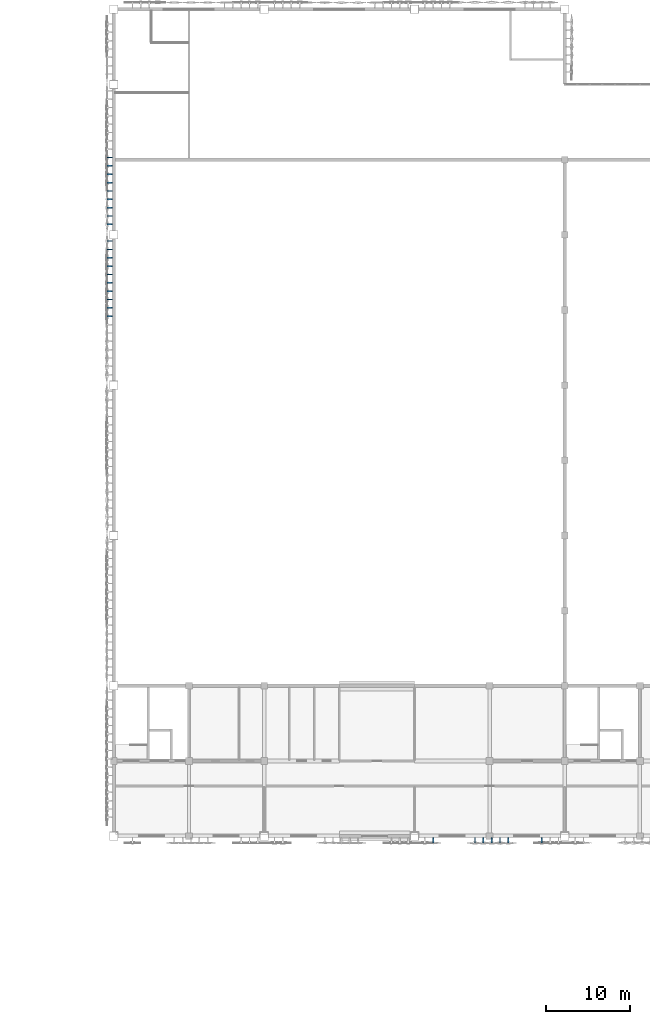
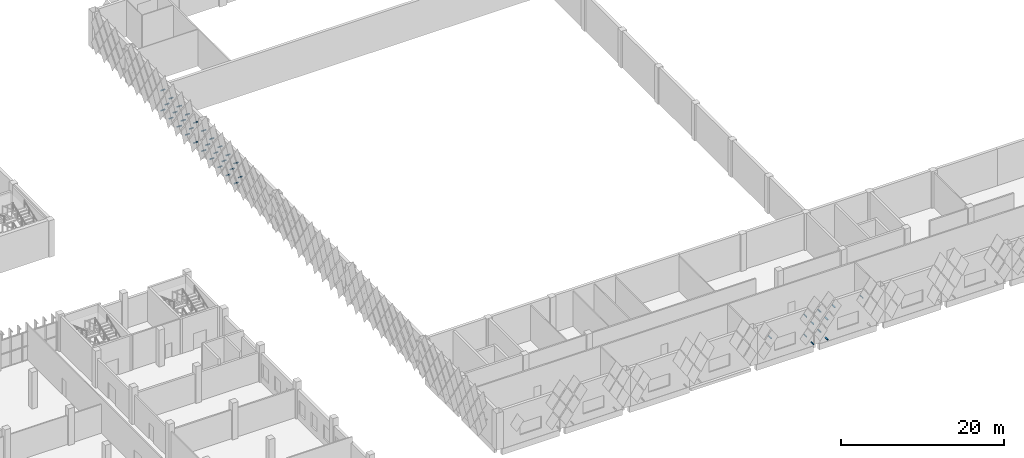
# One storey, part 140 of 185: 40 discrete accessories.
"""IFC4 building model written with IfcOpenShell, lengths in metres."""

from ifc_helpers import new_model, si_unit, direction, frame, origin, place, context, subcontext, project, spatial, polyline, outline, extrude, material, type_object, element, save


model = new_model("IFC4")

# Units and contexts
model_context = context("Model", 3, precision=1e-05, world=origin(), true_north=direction((0.0, 1.0)))
body_context = subcontext(model_context, "Body", "Model", "MODEL_VIEW")
ifc_project = project(units=[si_unit("LENGTHUNIT", "METRE"), si_unit("AREAUNIT", "SQUARE_METRE"), si_unit("VOLUMEUNIT", "CUBIC_METRE"), si_unit("PLANEANGLEUNIT", "RADIAN"), si_unit("MASSUNIT", "GRAM", prefix="KILO")], contexts=[model_context])

# Site, building, storey
site_placement = place(None, origin())
site = spatial("IfcSite", under=ifc_project, at=site_placement, CompositionType="ELEMENT")
building_placement = place(site_placement, origin())
building = spatial("IfcBuilding", under=site, at=building_placement, Name="Opaline Strait Convention Centre", CompositionType="ELEMENT")
storey_placement = place(building_placement, frame((0.0, 0.0, 6.0)))
storey = spatial("IfcBuildingStorey", under=building, at=storey_placement, Name="L01", CompositionType="ELEMENT", Elevation=6.0)

# Discrete accessories
ifc_material = material(Name="Steel Q355B", Category="steel")
discrete_accessory_type = type_object("IfcDiscreteAccessoryType", Name="Tile bracket 100x100 steel", PredefinedType="BRACKET", material=ifc_material)
discrete_accessory_1_placement = place(storey_placement, frame((143.199951171875, 53.800048828125, 0.39208984375), z_axis=(1.0, 0.0, 0.0), x_axis=(0.0, 1.0, 0.0)))
element("IfcDiscreteAccessory", 1, at=discrete_accessory_1_placement, inside=storey, type_object=discrete_accessory_type, Name="Tile bracket XT12 S", PredefinedType="BRACKET", context=body_context, shape_type="SweptSolid", body=[
    extrude(outline(polyline([(0.0, -0.050048828125), (0.0, 0.050048828125), (-0.605224609375, 0.050048828125), (-0.5947265625, -0.050048828125), (0.0, -0.050048828125)])), origin(), (0.0, 0.0, 1.0), 0.10009765625),
])
discrete_accessory_2_placement = place(storey_placement, frame((145.199951171875, 53.800048828125, 0.39208984375), z_axis=(1.0, 0.0, 0.0), x_axis=(0.0, 1.0, 0.0)))
element("IfcDiscreteAccessory", 2, at=discrete_accessory_2_placement, inside=storey, type_object=discrete_accessory_type, Name="Tile bracket XT09 S", PredefinedType="BRACKET", context=body_context, shape_type="SweptSolid", body=[
    extrude(outline(polyline([(0.0, -0.050048828125), (0.0, 0.050048828125), (-0.60400390625, 0.050048828125), (-0.595947265625, -0.050048828125), (0.0, -0.050048828125)])), origin(), (0.0, 0.0, 1.0), 0.10009765625),
])
discrete_accessory_3_placement = place(storey_placement, frame((142.199951171875, 53.800048828125, 1.89208984375), z_axis=(1.0, 0.0, 0.0), x_axis=(0.0, 1.0, 0.0)))
element("IfcDiscreteAccessory", 3, at=discrete_accessory_3_placement, inside=storey, type_object=discrete_accessory_type, Name="Tile bracket XT14 S", PredefinedType="BRACKET", context=body_context, shape_type="SweptSolid", body=[
    extrude(outline(polyline([(0.0, -0.050048828125), (0.0, 0.050048828125), (-0.606201171875, 0.050048828125), (-0.59375, -0.050048828125), (0.0, -0.050048828125)])), origin(), (0.0, 0.0, 1.0), 0.10009765625),
])
discrete_accessory_4_placement = place(storey_placement, frame((144.199951171875, 53.800048828125, 1.89208984375), z_axis=(1.0, 0.0, 0.0), x_axis=(0.0, 1.0, 0.0)))
element("IfcDiscreteAccessory", 4, at=discrete_accessory_4_placement, inside=storey, type_object=discrete_accessory_type, Name="Tile bracket XT12 S", PredefinedType="BRACKET", context=body_context, shape_type="SweptSolid", body=[
    extrude(outline(polyline([(0.0, -0.050048828125), (0.0, 0.050048828125), (-0.605224609375, 0.050048828125), (-0.5947265625, -0.050048828125), (0.0, -0.050048828125)])), origin(), (0.0, 0.0, 1.0), 0.10009765625),
])
discrete_accessory_5_placement = place(storey_placement, frame((137.199951171875, 53.800048828125, 3.39208984375), z_axis=(1.0, 0.0, 0.0), x_axis=(0.0, 1.0, 0.0)))
element("IfcDiscreteAccessory", 5, at=discrete_accessory_5_placement, inside=storey, type_object=discrete_accessory_type, Name="Tile bracket XT09 S", PredefinedType="BRACKET", context=body_context, shape_type="SweptSolid", body=[
    extrude(outline(polyline([(0.0, -0.050048828125), (0.0, 0.050048828125), (-0.60400390625, 0.050048828125), (-0.595947265625, -0.050048828125), (0.0, -0.050048828125)])), origin(), (0.0, 0.0, 1.0), 0.10009765625),
])
discrete_accessory_6_placement = place(storey_placement, frame((143.199951171875, 53.800048828125, 3.39208984375), z_axis=(1.0, 0.0, 0.0), x_axis=(0.0, 1.0, 0.0)))
element("IfcDiscreteAccessory", 6, at=discrete_accessory_6_placement, inside=storey, type_object=discrete_accessory_type, Name="Tile bracket XT14 S", PredefinedType="BRACKET", context=body_context, shape_type="SweptSolid", body=[
    extrude(outline(polyline([(0.0, -0.050048828125), (0.0, 0.050048828125), (-0.606201171875, 0.050048828125), (-0.59375, -0.050048828125), (0.0, -0.050048828125)])), origin(), (0.0, 0.0, 1.0), 0.10009765625),
])
discrete_accessory_7_placement = place(storey_placement, frame((145.199951171875, 53.800048828125, 3.39208984375), z_axis=(1.0, 0.0, 0.0), x_axis=(0.0, 1.0, 0.0)))
element("IfcDiscreteAccessory", 7, at=discrete_accessory_7_placement, inside=storey, type_object=discrete_accessory_type, Name="Tile bracket XT13 S", PredefinedType="BRACKET", context=body_context, shape_type="SweptSolid", body=[
    extrude(outline(polyline([(0.0, -0.050048828125), (0.0, 0.050048828125), (-0.605712890625, 0.050048828125), (-0.59423828125, -0.050048828125), (0.0, -0.050048828125)])), origin(), (0.0, 0.0, 1.0), 0.10009765625),
])
for number, where, z_axis, x_axis, name in (
    (8, (142.199951171875, 53.800048828125, 4.89208984375), (1.0, 0.0, 0.0), (0.0, 1.0, 0.0), "Tile bracket XT14 S"),
    (9, (144.199951171875, 53.800048828125, 4.89208984375), (1.0, 0.0, 0.0), (0.0, 1.0, 0.0), "Tile bracket XT14 S"),
):
    element("IfcDiscreteAccessory", number, at=place(storey_placement, frame(where, z_axis=z_axis, x_axis=x_axis)), inside=storey, type_object=discrete_accessory_type, Name=name, PredefinedType="BRACKET", context=body_context, shape_type="SweptSolid", body=[
        extrude(outline(polyline([(0.0, -0.050048828125), (0.0, 0.050048828125), (-0.606201171875, 0.050048828125), (-0.59375, -0.050048828125), (0.0, -0.050048828125)])), origin(), (0.0, 0.0, 1.0), 0.10009765625),
    ])
discrete_accessory_8_placement = place(storey_placement, frame((146.199951171875, 53.800048828125, 4.89208984375), z_axis=(1.0, 0.0, 0.0), x_axis=(0.0, 1.0, 0.0)))
element("IfcDiscreteAccessory", 10, at=discrete_accessory_8_placement, inside=storey, type_object=discrete_accessory_type, Name="Tile bracket XT13 S", PredefinedType="BRACKET", context=body_context, shape_type="SweptSolid", body=[
    extrude(outline(polyline([(0.0, -0.050048828125), (0.0, 0.050048828125), (-0.605712890625, 0.050048828125), (-0.59423828125, -0.050048828125), (0.0, -0.050048828125)])), origin(), (0.0, 0.0, 1.0), 0.10009765625),
])
discrete_accessory_9_placement = place(storey_placement, frame((150.199951171875, 53.800048828125, 4.89208984375), z_axis=(1.0, 0.0, 0.0), x_axis=(0.0, 1.0, 0.0)))
element("IfcDiscreteAccessory", 11, at=discrete_accessory_9_placement, inside=storey, type_object=discrete_accessory_type, Name="Tile bracket XT05 S", PredefinedType="BRACKET", context=body_context, shape_type="SweptSolid", body=[
    extrude(outline(polyline([(0.0, -0.050048828125), (0.0, 0.050048828125), (-0.602294921875, 0.050048828125), (-0.597900390625, -0.050048828125), (0.0, -0.050048828125)])), origin(), (0.0, 0.0, 1.0), 0.10009765625),
])
discrete_accessory_10_placement = place(storey_placement, frame((98.800048828125, 135.300048828125, 1.39208984375), z_axis=(0.0, -1.0, 0.0), x_axis=(1.0, 0.0, 0.0)))
element("IfcDiscreteAccessory", 12, at=discrete_accessory_10_placement, inside=storey, type_object=discrete_accessory_type, Name="Tile bracket XT06 W", PredefinedType="BRACKET", context=body_context, shape_type="SweptSolid", body=[
    extrude(outline(polyline([(0.0, -0.050048828125), (0.0, 0.050048828125), (-0.597412109375, 0.050048828125), (-0.6025390625, -0.050048828125), (0.0, -0.050048828125)])), origin(), (0.0, 0.0, 1.0), 0.10009765625),
])
discrete_accessory_11_placement = place(storey_placement, frame((98.800048828125, 133.300048828125, 1.39208984375), z_axis=(0.0, -1.0, 0.0), x_axis=(1.0, 0.0, 0.0)))
element("IfcDiscreteAccessory", 13, at=discrete_accessory_11_placement, inside=storey, type_object=discrete_accessory_type, Name="Tile bracket XT09 W", PredefinedType="BRACKET", context=body_context, shape_type="SweptSolid", body=[
    extrude(outline(polyline([(0.0, -0.050048828125), (0.0, 0.050048828125), (-0.595947265625, 0.050048828125), (-0.60400390625, -0.050048828125), (0.0, -0.050048828125)])), origin(), (0.0, 0.0, 1.0), 0.10009765625),
])
discrete_accessory_12_placement = place(storey_placement, frame((98.800048828125, 131.300048828125, 1.39208984375), z_axis=(0.0, -1.0, 0.0), x_axis=(1.0, 0.0, 0.0)))
element("IfcDiscreteAccessory", 14, at=discrete_accessory_12_placement, inside=storey, type_object=discrete_accessory_type, Name="Tile bracket XT12 W", PredefinedType="BRACKET", context=body_context, shape_type="SweptSolid", body=[
    extrude(outline(polyline([(0.0, -0.050048828125), (0.0, 0.050048828125), (-0.5947265625, 0.050048828125), (-0.605224609375, -0.050048828125), (0.0, -0.050048828125)])), origin(), (0.0, 0.0, 1.0), 0.10009765625),
])
discrete_accessory_13_placement = place(storey_placement, frame((98.800048828125, 129.300048828125, 1.39208984375), z_axis=(0.0, -1.0, 0.0), x_axis=(1.0, 0.0, 0.0)))
element("IfcDiscreteAccessory", 15, at=discrete_accessory_13_placement, inside=storey, type_object=discrete_accessory_type, Name="Tile bracket XT14 W", PredefinedType="BRACKET", context=body_context, shape_type="SweptSolid", body=[
    extrude(outline(polyline([(0.0, -0.050048828125), (0.0, 0.050048828125), (-0.59375, 0.050048828125), (-0.606201171875, -0.050048828125), (0.0, -0.050048828125)])), origin(), (0.0, 0.0, 1.0), 0.10009765625),
])
discrete_accessory_14_placement = place(storey_placement, frame((98.800048828125, 127.300048828125, 1.39208984375), z_axis=(0.0, -1.0, 0.0), x_axis=(1.0, 0.0, 0.0)))
element("IfcDiscreteAccessory", 16, at=discrete_accessory_14_placement, inside=storey, type_object=discrete_accessory_type, Name="Tile bracket XT13 W", PredefinedType="BRACKET", context=body_context, shape_type="SweptSolid", body=[
    extrude(outline(polyline([(0.0, -0.050048828125), (0.0, 0.050048828125), (-0.59423828125, 0.050048828125), (-0.605712890625, -0.050048828125), (0.0, -0.050048828125)])), origin(), (0.0, 0.0, 1.0), 0.10009765625),
])
discrete_accessory_15_placement = place(storey_placement, frame((98.800048828125, 125.300048828125, 1.39208984375), z_axis=(0.0, -1.0, 0.0), x_axis=(1.0, 0.0, 0.0)))
element("IfcDiscreteAccessory", 17, at=discrete_accessory_15_placement, inside=storey, type_object=discrete_accessory_type, Name="Tile bracket XT10 W", PredefinedType="BRACKET", context=body_context, shape_type="SweptSolid", body=[
    extrude(outline(polyline([(0.0, -0.050048828125), (0.0, 0.050048828125), (-0.595703125, 0.050048828125), (-0.604248046875, -0.050048828125), (0.0, -0.050048828125)])), origin(), (0.0, 0.0, 1.0), 0.10009765625),
])
discrete_accessory_16_placement = place(storey_placement, frame((98.800048828125, 123.300048828125, 1.39208984375), z_axis=(0.0, -1.0, 0.0), x_axis=(1.0, 0.0, 0.0)))
element("IfcDiscreteAccessory", 18, at=discrete_accessory_16_placement, inside=storey, type_object=discrete_accessory_type, Name="Tile bracket XT07 W", PredefinedType="BRACKET", context=body_context, shape_type="SweptSolid", body=[
    extrude(outline(polyline([(0.0, -0.050048828125), (0.0, 0.050048828125), (-0.596923828125, 0.050048828125), (-0.60302734375, -0.050048828125), (0.0, -0.050048828125)])), origin(), (0.0, 0.0, 1.0), 0.10009765625),
])
discrete_accessory_17_placement = place(storey_placement, frame((98.800048828125, 121.300048828125, 1.39208984375), z_axis=(0.0, -1.0, 0.0), x_axis=(1.0, 0.0, 0.0)))
element("IfcDiscreteAccessory", 19, at=discrete_accessory_17_placement, inside=storey, type_object=discrete_accessory_type, Name="Tile bracket XT05 W", PredefinedType="BRACKET", context=body_context, shape_type="SweptSolid", body=[
    extrude(outline(polyline([(0.0, -0.050048828125), (0.0, 0.050048828125), (-0.597900390625, 0.050048828125), (-0.602294921875, -0.050048828125), (0.0, -0.050048828125)])), origin(), (0.0, 0.0, 1.0), 0.10009765625),
])
discrete_accessory_18_placement = place(storey_placement, frame((98.800048828125, 119.300048828125, 1.39208984375), z_axis=(0.0, -1.0, 0.0), x_axis=(1.0, 0.0, 0.0)))
element("IfcDiscreteAccessory", 20, at=discrete_accessory_18_placement, inside=storey, type_object=discrete_accessory_type, Name="Tile bracket XT06 W", PredefinedType="BRACKET", context=body_context, shape_type="SweptSolid", body=[
    extrude(outline(polyline([(0.0, -0.050048828125), (0.0, 0.050048828125), (-0.6025390625, 0.050048828125), (-0.597412109375, -0.050048828125), (0.0, -0.050048828125)])), origin(), (0.0, 0.0, 1.0), 0.10009765625),
])
discrete_accessory_19_placement = place(storey_placement, frame((98.800048828125, 117.300048828125, 1.39208984375), z_axis=(0.0, -1.0, 0.0), x_axis=(1.0, 0.0, 0.0)))
element("IfcDiscreteAccessory", 21, at=discrete_accessory_19_placement, inside=storey, type_object=discrete_accessory_type, Name="Tile bracket XT08 W", PredefinedType="BRACKET", context=body_context, shape_type="SweptSolid", body=[
    extrude(outline(polyline([(0.0, -0.050048828125), (0.0, 0.050048828125), (-0.603515625, 0.050048828125), (-0.596435546875, -0.050048828125), (0.0, -0.050048828125)])), origin(), (0.0, 0.0, 1.0), 0.10009765625),
])
discrete_accessory_20_placement = place(storey_placement, frame((98.800048828125, 134.300048828125, 2.89208984375), z_axis=(0.0, -1.0, 0.0), x_axis=(1.0, 0.0, 0.0)))
element("IfcDiscreteAccessory", 22, at=discrete_accessory_20_placement, inside=storey, type_object=discrete_accessory_type, Name="Tile bracket XT06 W", PredefinedType="BRACKET", context=body_context, shape_type="SweptSolid", body=[
    extrude(outline(polyline([(0.0, -0.050048828125), (0.0, 0.050048828125), (-0.597412109375, 0.050048828125), (-0.6025390625, -0.050048828125), (0.0, -0.050048828125)])), origin(), (0.0, 0.0, 1.0), 0.10009765625),
])
discrete_accessory_21_placement = place(storey_placement, frame((98.800048828125, 132.300048828125, 2.89208984375), z_axis=(0.0, -1.0, 0.0), x_axis=(1.0, 0.0, 0.0)))
element("IfcDiscreteAccessory", 23, at=discrete_accessory_21_placement, inside=storey, type_object=discrete_accessory_type, Name="Tile bracket XT10 W", PredefinedType="BRACKET", context=body_context, shape_type="SweptSolid", body=[
    extrude(outline(polyline([(0.0, -0.050048828125), (0.0, 0.050048828125), (-0.595703125, 0.050048828125), (-0.604248046875, -0.050048828125), (0.0, -0.050048828125)])), origin(), (0.0, 0.0, 1.0), 0.10009765625),
])
discrete_accessory_22_placement = place(storey_placement, frame((98.800048828125, 130.300048828125, 2.89208984375), z_axis=(0.0, -1.0, 0.0), x_axis=(1.0, 0.0, 0.0)))
element("IfcDiscreteAccessory", 24, at=discrete_accessory_22_placement, inside=storey, type_object=discrete_accessory_type, Name="Tile bracket XT12 W", PredefinedType="BRACKET", context=body_context, shape_type="SweptSolid", body=[
    extrude(outline(polyline([(0.0, -0.050048828125), (0.0, 0.050048828125), (-0.5947265625, 0.050048828125), (-0.605224609375, -0.050048828125), (0.0, -0.050048828125)])), origin(), (0.0, 0.0, 1.0), 0.10009765625),
])
discrete_accessory_23_placement = place(storey_placement, frame((98.800048828125, 128.300048828125, 2.89208984375), z_axis=(0.0, -1.0, 0.0), x_axis=(1.0, 0.0, 0.0)))
element("IfcDiscreteAccessory", 25, at=discrete_accessory_23_placement, inside=storey, type_object=discrete_accessory_type, Name="Tile bracket XT14 W", PredefinedType="BRACKET", context=body_context, shape_type="SweptSolid", body=[
    extrude(outline(polyline([(0.0, -0.050048828125), (0.0, 0.050048828125), (-0.59375, 0.050048828125), (-0.606201171875, -0.050048828125), (0.0, -0.050048828125)])), origin(), (0.0, 0.0, 1.0), 0.10009765625),
])
discrete_accessory_24_placement = place(storey_placement, frame((98.800048828125, 124.300048828125, 2.89208984375), z_axis=(0.0, -1.0, 0.0), x_axis=(1.0, 0.0, 0.0)))
element("IfcDiscreteAccessory", 26, at=discrete_accessory_24_placement, inside=storey, type_object=discrete_accessory_type, Name="Tile bracket XT11 W", PredefinedType="BRACKET", context=body_context, shape_type="SweptSolid", body=[
    extrude(outline(polyline([(0.0, -0.050048828125), (0.0, 0.050048828125), (-0.59521484375, 0.050048828125), (-0.604736328125, -0.050048828125), (0.0, -0.050048828125)])), origin(), (0.0, 0.0, 1.0), 0.10009765625),
])
discrete_accessory_25_placement = place(storey_placement, frame((98.800048828125, 122.300048828125, 2.89208984375), z_axis=(0.0, -1.0, 0.0), x_axis=(1.0, 0.0, 0.0)))
element("IfcDiscreteAccessory", 27, at=discrete_accessory_25_placement, inside=storey, type_object=discrete_accessory_type, Name="Tile bracket XT07 W", PredefinedType="BRACKET", context=body_context, shape_type="SweptSolid", body=[
    extrude(outline(polyline([(0.0, -0.050048828125), (0.0, 0.050048828125), (-0.596923828125, 0.050048828125), (-0.60302734375, -0.050048828125), (0.0, -0.050048828125)])), origin(), (0.0, 0.0, 1.0), 0.10009765625),
])
discrete_accessory_26_placement = place(storey_placement, frame((98.800048828125, 120.300048828125, 2.89208984375), z_axis=(0.0, -1.0, 0.0), x_axis=(1.0, 0.0, 0.0)))
element("IfcDiscreteAccessory", 28, at=discrete_accessory_26_placement, inside=storey, type_object=discrete_accessory_type, Name="Tile bracket XT05 W", PredefinedType="BRACKET", context=body_context, shape_type="SweptSolid", body=[
    extrude(outline(polyline([(0.0, -0.050048828125), (0.0, 0.050048828125), (-0.597900390625, 0.050048828125), (-0.602294921875, -0.050048828125), (0.0, -0.050048828125)])), origin(), (0.0, 0.0, 1.0), 0.10009765625),
])
discrete_accessory_27_placement = place(storey_placement, frame((98.800048828125, 118.300048828125, 2.89208984375), z_axis=(0.0, -1.0, 0.0), x_axis=(1.0, 0.0, 0.0)))
element("IfcDiscreteAccessory", 29, at=discrete_accessory_27_placement, inside=storey, type_object=discrete_accessory_type, Name="Tile bracket XT06 W", PredefinedType="BRACKET", context=body_context, shape_type="SweptSolid", body=[
    extrude(outline(polyline([(0.0, -0.050048828125), (0.0, 0.050048828125), (-0.6025390625, 0.050048828125), (-0.597412109375, -0.050048828125), (0.0, -0.050048828125)])), origin(), (0.0, 0.0, 1.0), 0.10009765625),
])
discrete_accessory_28_placement = place(storey_placement, frame((98.800048828125, 116.300048828125, 2.89208984375), z_axis=(0.0, -1.0, 0.0), x_axis=(1.0, 0.0, 0.0)))
element("IfcDiscreteAccessory", 30, at=discrete_accessory_28_placement, inside=storey, type_object=discrete_accessory_type, Name="Tile bracket XT08 W", PredefinedType="BRACKET", context=body_context, shape_type="SweptSolid", body=[
    extrude(outline(polyline([(0.0, -0.050048828125), (0.0, 0.050048828125), (-0.603515625, 0.050048828125), (-0.596435546875, -0.050048828125), (0.0, -0.050048828125)])), origin(), (0.0, 0.0, 1.0), 0.10009765625),
])
discrete_accessory_29_placement = place(storey_placement, frame((98.800048828125, 135.300048828125, 4.39208984375), z_axis=(0.0, -1.0, 0.0), x_axis=(1.0, 0.0, 0.0)))
element("IfcDiscreteAccessory", 31, at=discrete_accessory_29_placement, inside=storey, type_object=discrete_accessory_type, Name="Tile bracket XT04 W", PredefinedType="BRACKET", context=body_context, shape_type="SweptSolid", body=[
    extrude(outline(polyline([(0.0, -0.050048828125), (0.0, 0.050048828125), (-0.59814453125, 0.050048828125), (-0.601806640625, -0.050048828125), (0.0, -0.050048828125)])), origin(), (0.0, 0.0, 1.0), 0.10009765625),
])
discrete_accessory_30_placement = place(storey_placement, frame((98.800048828125, 133.300048828125, 4.39208984375), z_axis=(0.0, -1.0, 0.0), x_axis=(1.0, 0.0, 0.0)))
element("IfcDiscreteAccessory", 32, at=discrete_accessory_30_placement, inside=storey, type_object=discrete_accessory_type, Name="Tile bracket XT06 W", PredefinedType="BRACKET", context=body_context, shape_type="SweptSolid", body=[
    extrude(outline(polyline([(0.0, -0.050048828125), (0.0, 0.050048828125), (-0.597412109375, 0.050048828125), (-0.6025390625, -0.050048828125), (0.0, -0.050048828125)])), origin(), (0.0, 0.0, 1.0), 0.10009765625),
])
discrete_accessory_31_placement = place(storey_placement, frame((98.800048828125, 131.300048828125, 4.39208984375), z_axis=(0.0, -1.0, 0.0), x_axis=(1.0, 0.0, 0.0)))
element("IfcDiscreteAccessory", 33, at=discrete_accessory_31_placement, inside=storey, type_object=discrete_accessory_type, Name="Tile bracket XT10 W", PredefinedType="BRACKET", context=body_context, shape_type="SweptSolid", body=[
    extrude(outline(polyline([(0.0, -0.050048828125), (0.0, 0.050048828125), (-0.595703125, 0.050048828125), (-0.604248046875, -0.050048828125), (0.0, -0.050048828125)])), origin(), (0.0, 0.0, 1.0), 0.10009765625),
])
discrete_accessory_32_placement = place(storey_placement, frame((98.800048828125, 129.300048828125, 4.39208984375), z_axis=(0.0, -1.0, 0.0), x_axis=(1.0, 0.0, 0.0)))
element("IfcDiscreteAccessory", 34, at=discrete_accessory_32_placement, inside=storey, type_object=discrete_accessory_type, Name="Tile bracket XT13 W", PredefinedType="BRACKET", context=body_context, shape_type="SweptSolid", body=[
    extrude(outline(polyline([(0.0, -0.050048828125), (0.0, 0.050048828125), (-0.59423828125, 0.050048828125), (-0.605712890625, -0.050048828125), (0.0, -0.050048828125)])), origin(), (0.0, 0.0, 1.0), 0.10009765625),
])
discrete_accessory_33_placement = place(storey_placement, frame((98.800048828125, 127.300048828125, 4.39208984375), z_axis=(0.0, -1.0, 0.0), x_axis=(1.0, 0.0, 0.0)))
element("IfcDiscreteAccessory", 35, at=discrete_accessory_33_placement, inside=storey, type_object=discrete_accessory_type, Name="Tile bracket XT14 W", PredefinedType="BRACKET", context=body_context, shape_type="SweptSolid", body=[
    extrude(outline(polyline([(0.0, -0.050048828125), (0.0, 0.050048828125), (-0.59375, 0.050048828125), (-0.606201171875, -0.050048828125), (0.0, -0.050048828125)])), origin(), (0.0, 0.0, 1.0), 0.10009765625),
])
discrete_accessory_34_placement = place(storey_placement, frame((98.800048828125, 125.300048828125, 4.39208984375), z_axis=(0.0, -1.0, 0.0), x_axis=(1.0, 0.0, 0.0)))
element("IfcDiscreteAccessory", 36, at=discrete_accessory_34_placement, inside=storey, type_object=discrete_accessory_type, Name="Tile bracket XT13 W", PredefinedType="BRACKET", context=body_context, shape_type="SweptSolid", body=[
    extrude(outline(polyline([(0.0, -0.050048828125), (0.0, 0.050048828125), (-0.59423828125, 0.050048828125), (-0.605712890625, -0.050048828125), (0.0, -0.050048828125)])), origin(), (0.0, 0.0, 1.0), 0.10009765625),
])
discrete_accessory_35_placement = place(storey_placement, frame((98.800048828125, 123.300048828125, 4.39208984375), z_axis=(0.0, -1.0, 0.0), x_axis=(1.0, 0.0, 0.0)))
element("IfcDiscreteAccessory", 37, at=discrete_accessory_35_placement, inside=storey, type_object=discrete_accessory_type, Name="Tile bracket XT12 W", PredefinedType="BRACKET", context=body_context, shape_type="SweptSolid", body=[
    extrude(outline(polyline([(0.0, -0.050048828125), (0.0, 0.050048828125), (-0.5947265625, 0.050048828125), (-0.605224609375, -0.050048828125), (0.0, -0.050048828125)])), origin(), (0.0, 0.0, 1.0), 0.10009765625),
])
discrete_accessory_36_placement = place(storey_placement, frame((98.800048828125, 121.300048828125, 4.39208984375), z_axis=(0.0, -1.0, 0.0), x_axis=(1.0, 0.0, 0.0)))
element("IfcDiscreteAccessory", 38, at=discrete_accessory_36_placement, inside=storey, type_object=discrete_accessory_type, Name="Tile bracket XT08 W", PredefinedType="BRACKET", context=body_context, shape_type="SweptSolid", body=[
    extrude(outline(polyline([(0.0, -0.050048828125), (0.0, 0.050048828125), (-0.596435546875, 0.050048828125), (-0.603515625, -0.050048828125), (0.0, -0.050048828125)])), origin(), (0.0, 0.0, 1.0), 0.10009765625),
])
discrete_accessory_37_placement = place(storey_placement, frame((98.800048828125, 119.300048828125, 4.39208984375), z_axis=(0.0, -1.0, 0.0), x_axis=(1.0, 0.0, 0.0)))
element("IfcDiscreteAccessory", 39, at=discrete_accessory_37_placement, inside=storey, type_object=discrete_accessory_type, Name="Tile bracket XT06 W", PredefinedType="BRACKET", context=body_context, shape_type="SweptSolid", body=[
    extrude(outline(polyline([(0.0, -0.050048828125), (0.0, 0.050048828125), (-0.597412109375, 0.050048828125), (-0.6025390625, -0.050048828125), (0.0, -0.050048828125)])), origin(), (0.0, 0.0, 1.0), 0.10009765625),
])
discrete_accessory_38_placement = place(storey_placement, frame((98.800048828125, 117.300048828125, 4.39208984375), z_axis=(0.0, -1.0, 0.0), x_axis=(1.0, 0.0, 0.0)))
element("IfcDiscreteAccessory", 40, at=discrete_accessory_38_placement, inside=storey, type_object=discrete_accessory_type, Name="Tile bracket XT06 W", PredefinedType="BRACKET", context=body_context, shape_type="SweptSolid", body=[
    extrude(outline(polyline([(0.0, -0.050048828125), (0.0, 0.050048828125), (-0.6025390625, 0.050048828125), (-0.597412109375, -0.050048828125), (0.0, -0.050048828125)])), origin(), (0.0, 0.0, 1.0), 0.10009765625),
])

save(model, "model.ifc")
